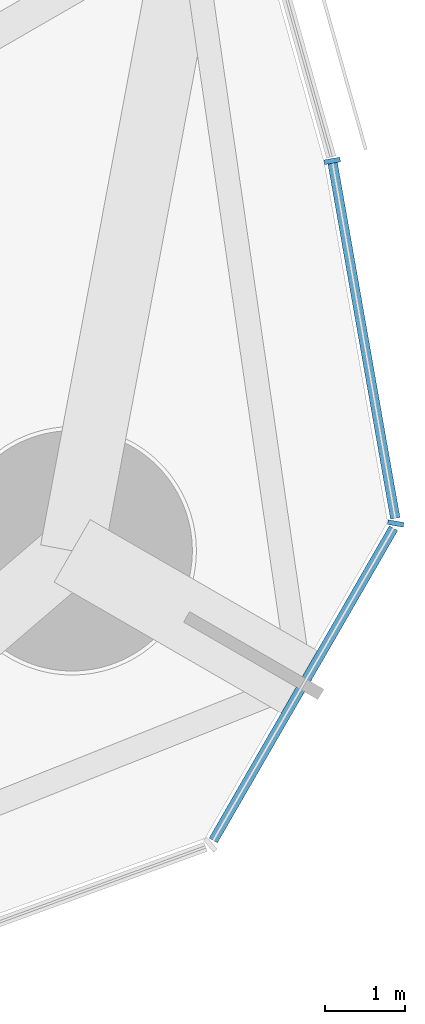
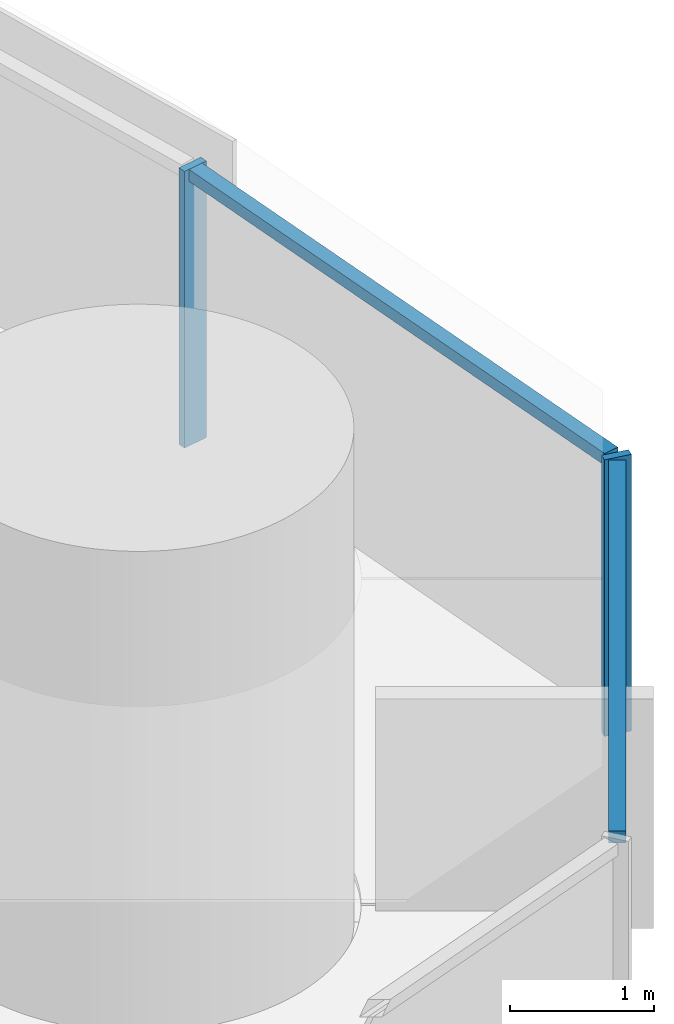
# One storey, part 9 of 19: 4 members, 1 element without a shape of its own.
"""IFC4 building model written with IfcOpenShell, lengths in metres."""

from ifc_helpers import new_model, si_unit, direction, frame, origin, origin_2d, place, context, subcontext, project, spatial, rectangle, extrude, material, material_profile, profile_set, type_object, element, aggregate, save


model = new_model("IFC4")

# Units and contexts
model_context = context("Model", 3, precision=1e-05, world=origin(), true_north=direction((0.0, 1.0)))
body_context = subcontext(model_context, "Body", "Model", "MODEL_VIEW")
ifc_project = project(units=[si_unit("LENGTHUNIT", "METRE"), si_unit("AREAUNIT", "SQUARE_METRE"), si_unit("VOLUMEUNIT", "CUBIC_METRE"), si_unit("PLANEANGLEUNIT", "RADIAN"), si_unit("MASSUNIT", "GRAM", prefix="KILO")], contexts=[model_context])

# Site, building, storey
site_placement = place(None, origin())
site = spatial("IfcSite", under=ifc_project, at=site_placement, CompositionType="ELEMENT")
building_placement = place(site_placement, origin())
building = spatial("IfcBuilding", under=site, at=building_placement, Name="Trefoil Bronze Tower", CompositionType="ELEMENT")
storey_placement = place(building_placement, frame((0.0, 0.0, 261.10009765625)))
storey = spatial("IfcBuildingStorey", under=building, at=storey_placement, Name="L60", CompositionType="ELEMENT", Elevation=261.10009765625)

# Curtain wall, members
ifc_material_1 = material(Name="Tinted solar-control glass", Category="glass")
curtain_wall_type = type_object("IfcCurtainWallType", Name="Bronze rounded corner curtain wall", PredefinedType="USERDEFINED", material=ifc_material_1)
curtain_wall_placement = place(storey_placement, origin())
curtain_wall = element("IfcCurtainWall", 1, at=curtain_wall_placement, inside=storey, type_object=curtain_wall_type, Name="CW-B L60 K1", ObjectType="CURTAIN WALL", PredefinedType="USERDEFINED")
ifc_material_2 = material(Name="Bronze-finish aluminium", Category="aluminium")
ifc_material_profile_1 = material_profile(ifc_material_2, rectangle(XDim=0.199951171875, YDim=0.06005859375, at=origin_2d()), Name="CW-B mullion")
ifc_profile_set_1 = profile_set([ifc_material_profile_1], Name="Bronze-finish aluminium")
member_type_1 = type_object("IfcMemberType", Name="Bronze rounded corner curtain wall mullion", PredefinedType="MULLION", material=ifc_profile_set_1)
member_1_placement = place(storey_placement, frame((32.616943359375, -16.158935546875, 0.0), z_axis=(0.0, 0.0, 1.0), x_axis=(-0.984807753012, 0.173648177667, 0.0)))
member_1 = element("IfcMember", 2, at=member_1_placement, type_object=member_type_1, Name="CW-B L60 K1 mullion 3", PredefinedType="MULLION", context=body_context, shape_type="SweptSolid", body=[
    extrude(rectangle(XDim=0.199951171875, YDim=0.06005859375, at=origin_2d()), origin(), (0.0, 0.0, 1.0), 2.349853515625),
])
member_2_placement = place(storey_placement, frame((31.824951171875, -11.63330078125, 0.0), z_axis=(0.0, 0.0, 1.0), x_axis=(-0.984807753012, -0.173648177667, 0.0)))
member_2 = element("IfcMember", 3, at=member_2_placement, type_object=member_type_1, Name="CW-B L60 K1 mullion 4", PredefinedType="MULLION", context=body_context, shape_type="SweptSolid", body=[
    extrude(rectangle(XDim=0.199951171875, YDim=0.06005859375, at=origin_2d()), origin(), (0.0, 0.0, 1.0), 2.349853515625),
])
ifc_material_3 = material(Name="Bronze-finish aluminium", Category="aluminium")
ifc_material_profile_2 = material_profile(ifc_material_3, rectangle(XDim=0.1201171875, YDim=0.10009765625, at=origin_2d()), Name="CW-B transom")
ifc_profile_set_2 = profile_set([ifc_material_profile_2], Name="Bronze-finish aluminium")
member_type_2 = type_object("IfcMemberType", Name="Bronze rounded corner curtain wall transom", PredefinedType="USERDEFINED", material=ifc_profile_set_2)
member_3_placement = place(storey_placement, frame((30.33984375, -20.114990234375, 2.2998046875), z_axis=(0.500007335828, 0.866021168401, 0.0), x_axis=(-0.866021168401, 0.500007335828, 0.0)))
member_3 = element("IfcMember", 4, at=member_3_placement, type_object=member_type_2, Name="CW-B L60 K1 transom 2", ObjectType="TRANSOM", PredefinedType="USERDEFINED", context=body_context, shape_type="SweptSolid", body=[
    extrude(rectangle(XDim=0.1201171875, YDim=0.10009765625, at=origin_2d()), origin(), (0.0, 0.0, 1.0), 4.50048828125),
])
member_4_placement = place(storey_placement, frame((32.611572265625, -16.0947265625, 2.2998046875), z_axis=(-0.173655350028, 0.984806488304, 0.0), x_axis=(-0.984806488304, -0.173655350028, 0.0)))
member_4 = element("IfcMember", 5, at=member_4_placement, type_object=member_type_2, Name="CW-B L60 K1 transom 3", ObjectType="TRANSOM", PredefinedType="USERDEFINED", context=body_context, shape_type="SweptSolid", body=[
    extrude(rectangle(XDim=0.1201171875, YDim=0.10009765625, at=origin_2d()), origin(), (0.0, 0.0, 1.0), 4.500244140625),
])
aggregate(curtain_wall, [member_1, member_2, member_3, member_4])

save(model, "model.ifc")
